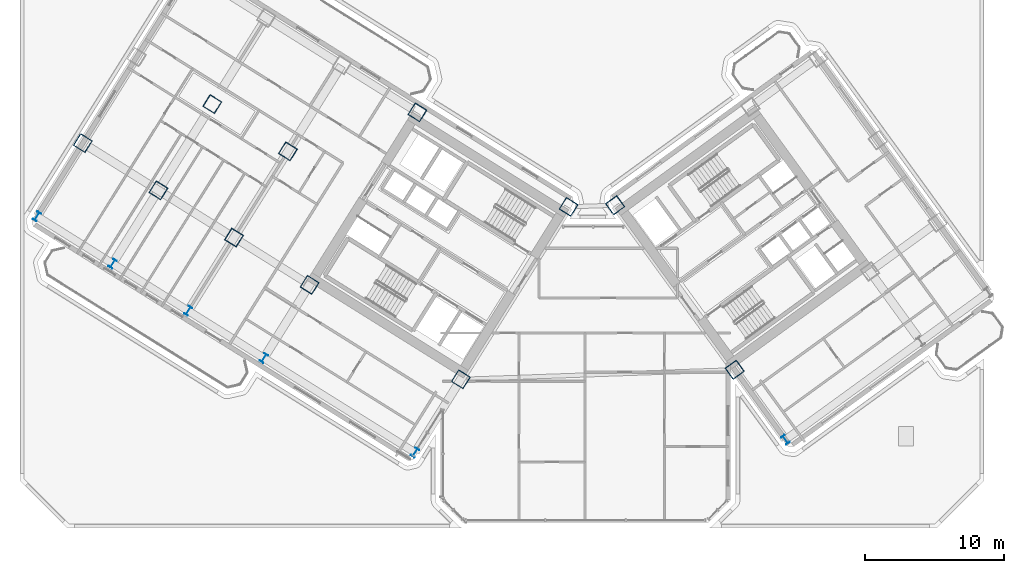
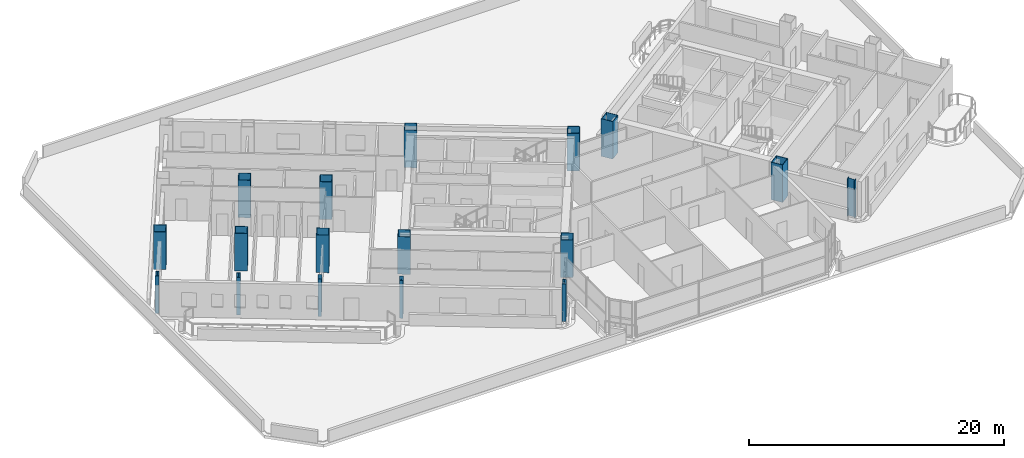
# One storey, part 1 of 28: 17 columns.
"""IFC4 building model written with IfcOpenShell, lengths in metres."""

import ifcopenshell
import ifcopenshell.guid

model = None  # the IFC model being written
_history = None  # IfcOwnerHistory: only IFC2X3 demands one
_inside = {}  # id of a spatial element -> (the spatial element, [elements in it])
_under = {}  # id of a project, library or spatial element -> (it, [spatial elements below it])
_declared = {}  # id of a project -> (the project, [libraries it declares])
_typed = {}  # id of a type object -> (the type object, [elements of that type])
_made_of = {}  # id of a material, layer set ... -> (it, [elements and type objects made of it])


def new_model(schema):
    """Start an empty IFC model of exactly this schema.

    Asked for "IFC4X3", IfcOpenShell would pick the latest addendum, in which some entities
    have other attributes; the version numbers below select the first issue.
    IFC2X3 requires an IfcOwnerHistory on every rooted entity: one is made here for all.
    """
    global model, _history
    if schema == "IFC4X3":
        model = ifcopenshell.file(schema_version=(4, 3, 0, 0))
    else:
        model = ifcopenshell.file(schema=schema)
    _inside.clear()
    _under.clear()
    _declared.clear()
    _typed.clear()
    _made_of.clear()
    _history = None
    if model.schema == "IFC2X3":
        org = make("IfcOrganization", Name="unknown")
        user = make(
            "IfcPersonAndOrganization",
            ThePerson=make("IfcPerson", FamilyName="unknown"),
            TheOrganization=org,
        )
        app = make(
            "IfcApplication",
            ApplicationDeveloper=org,
            Version="unknown",
            ApplicationFullName="unknown",
            ApplicationIdentifier="unknown",
        )
        _history = make(
            "IfcOwnerHistory",
            OwningUser=user,
            OwningApplication=app,
            ChangeAction="ADDED",
            CreationDate=0,
        )
    return model


def make(cls, **values):
    """One entity of the class cls with the attributes given. An attribute that is None is left unset."""
    return model.create_entity(
        cls, **{name: value for name, value in values.items() if value is not None}
    )


def rooted(cls, **values):
    """An entity with a GlobalId (a new one), such as an element, a storey or a relation."""
    return make(cls, GlobalId=ifcopenshell.guid.new(), OwnerHistory=_history, **values)


def si_unit(unit_type, name, prefix=None):
    """IfcSIUnit, for example si_unit("LENGTHUNIT", "METRE", prefix="MILLI")."""
    return make("IfcSIUnit", UnitType=unit_type, Prefix=prefix, Name=name)


def assignment(units):
    """IfcUnitAssignment: the units of a project."""
    return None if units is None else make("IfcUnitAssignment", Units=units)


def point(xyz):
    """IfcCartesianPoint."""
    return None if xyz is None else make("IfcCartesianPoint", Coordinates=xyz)


def direction(xyz):
    """IfcDirection."""
    return None if xyz is None else make("IfcDirection", DirectionRatios=xyz)


def frame(location, z_axis=None, x_axis=None):
    """IfcAxis2Placement3D, a coordinate frame: its origin and axes. An axis left out is left unset."""
    return make(
        "IfcAxis2Placement3D",
        Location=point(location),
        Axis=direction(z_axis),
        RefDirection=direction(x_axis),
    )


def frame_2d(location, x_axis=None):
    """IfcAxis2Placement2D, a coordinate frame in the plane: its origin and x axis."""
    return make(
        "IfcAxis2Placement2D", Location=point(location), RefDirection=direction(x_axis)
    )


def origin():
    """The frame at (0, 0, 0) with its axes left unset."""
    return frame((0.0, 0.0, 0.0))


def origin_2d():
    """The frame at (0, 0) in the plane with its x axis left unset."""
    return frame_2d((0.0, 0.0))


def place(relative_to, where):
    """IfcLocalPlacement: puts the frame where relative to a parent placement (None: the world)."""
    return make(
        "IfcLocalPlacement", PlacementRelTo=relative_to, RelativePlacement=where
    )


def context(
    kind, dimensions, precision=None, world=None, true_north=None, identifier=None
):
    """IfcGeometricRepresentationContext, for example the 3D "Model" context."""
    return make(
        "IfcGeometricRepresentationContext",
        ContextIdentifier=identifier,
        ContextType=kind,
        CoordinateSpaceDimension=dimensions,
        Precision=precision,
        WorldCoordinateSystem=world,
        TrueNorth=true_north,
    )


def subcontext(parent, identifier, kind, view, scale=None):
    """IfcGeometricRepresentationSubContext, for example "Body" below "Model"."""
    return make(
        "IfcGeometricRepresentationSubContext",
        ContextIdentifier=identifier,
        ContextType=kind,
        ParentContext=parent,
        TargetScale=scale,
        TargetView=view,
    )


def project(units=None, contexts=None):
    """IfcProject with its units and contexts."""
    return rooted(
        "IfcProject",
        Name="project",
        RepresentationContexts=contexts,
        UnitsInContext=assignment(units),
    )


def spatial(cls, under=None, at=None, **own):
    """A site, building, storey or space (cls), placed at a placement, below another one or the project."""
    s = rooted(cls, ObjectPlacement=at, **own)
    if under is not None:
        _under.setdefault(under.id(), (under, []))[1].append(s)
    return s


def profile(cls, at=None, kind="AREA", **sizes):
    """A parametric profile (cls). Its sizes go by their IFC names, for example OverallWidth=200.0."""
    return make(cls, ProfileType=kind, Position=at, **sizes)


def hollow_rectangle(**sizes):
    """IfcRectangleHollowProfileDef."""
    return profile("IfcRectangleHollowProfileDef", **sizes)


def i_section(**sizes):
    """IfcIShapeProfileDef."""
    return profile("IfcIShapeProfileDef", **sizes)


def extrude(swept, where, along, depth):
    """IfcExtrudedAreaSolid: the profile swept, set in the frame where, extruded along a direction by depth."""
    return make(
        "IfcExtrudedAreaSolid",
        SweptArea=swept,
        Position=where,
        ExtrudedDirection=direction(along),
        Depth=depth,
    )


def shape(context_of_items, identifier, shape_type, items):
    """IfcShapeRepresentation: the items that make up one representation, for example the "Body"."""
    return make(
        "IfcShapeRepresentation",
        ContextOfItems=context_of_items,
        RepresentationIdentifier=identifier,
        RepresentationType=shape_type,
        Items=items,
    )


def source(mapping_origin, context_of_items, identifier, shape_type, items):
    """IfcRepresentationMap: a shape defined once, which mapped items show again and again."""
    return make(
        "IfcRepresentationMap",
        MappingOrigin=mapping_origin,
        MappedRepresentation=shape(context_of_items, identifier, shape_type, items),
    )


def transform(
    local_origin,
    x_axis=None,
    y_axis=None,
    z_axis=None,
    scale=None,
    scale2=None,
    scale3=None,
    uniform=True,
):
    """IfcCartesianTransformationOperator3D, or its non-uniform kind. x_axis, y_axis, z_axis: its Axis1, 2, 3."""
    if uniform:
        return make(
            "IfcCartesianTransformationOperator3D",
            Axis1=direction(x_axis),
            Axis2=direction(y_axis),
            LocalOrigin=point(local_origin),
            Scale=scale,
            Axis3=direction(z_axis),
        )
    return make(
        "IfcCartesianTransformationOperator3DnonUniform",
        Axis1=direction(x_axis),
        Axis2=direction(y_axis),
        LocalOrigin=point(local_origin),
        Scale=scale,
        Axis3=direction(z_axis),
        Scale2=scale2,
        Scale3=scale3,
    )


def mapped(mapping_source, mapping_target):
    """IfcMappedItem: shows the shape of a source again, moved by a transform."""
    return make(
        "IfcMappedItem", MappingSource=mapping_source, MappingTarget=mapping_target
    )


def material(Name=None, Category=None):
    """IfcMaterial."""
    return make("IfcMaterial", Name=Name, Category=Category)


def material_profile(
    of_material, cross_section, Name=None, Category=None, Priority=None
):
    """IfcMaterialProfile: a cross section and its material."""
    return make(
        "IfcMaterialProfile",
        Name=Name,
        Material=of_material,
        Profile=cross_section,
        Priority=Priority,
        Category=Category,
    )


def profile_set(profiles, Name=None, composite=None):
    """IfcMaterialProfileSet."""
    return make(
        "IfcMaterialProfileSet",
        Name=Name,
        MaterialProfiles=profiles,
        CompositeProfile=composite,
    )


def made_of(thing, what):
    """Note that an element or type object is made of a material, layer set ...; save() writes the relation."""
    if what is not None:
        _made_of.setdefault(what.id(), (what, []))[1].append(thing)
    return thing


def type_object(cls, material=None, **own):
    """A type object (cls), such as IfcWallType, which elements share."""
    return made_of(rooted(cls, **own), material)


def element(
    cls,
    number,
    at=None,
    inside=None,
    cuts=None,
    type_object=None,
    material=None,
    context=None,
    identifier="Body",
    shape_type=None,
    held_by="IfcProductDefinitionShape",
    body=None,
    shapes=None,
    **own,
):
    """One element of the class cls, such as IfcWall. Its Tag is "e" and its number.

    at: its placement. inside: the storey or other place that contains it. cuts: it is an
    opening in that element (IfcRelVoidsElement). A single representation is given by context,
    identifier, shape_type and body (its items); several are given by shapes. held_by: the class
    of the entity that holds the representations. save() writes the other relations.
    """
    e = rooted(cls, Tag="e%d" % number, ObjectPlacement=at, **own)
    if body is not None:
        shapes = [shape(context, identifier, shape_type, body)]
    if shapes is not None:
        e.Representation = make(held_by, Representations=shapes)
    if inside is not None:
        _inside.setdefault(inside.id(), (inside, []))[1].append(e)
    if cuts is not None:
        rooted(
            "IfcRelVoidsElement", RelatingBuildingElement=cuts, RelatedOpeningElement=e
        )
    if type_object is not None:
        _typed.setdefault(type_object.id(), (type_object, []))[1].append(e)
    return made_of(e, material)


def aggregate(whole, parts):
    """IfcRelAggregates: a whole, such as a stair, and the parts it consists of."""
    return rooted("IfcRelAggregates", RelatingObject=whole, RelatedObjects=parts)


def save(model, path):
    """Write the relations noted so far, then the file.

    IfcRelAggregates (storeys below a building ...), IfcRelContainedInSpatialStructure (elements
    in a storey), IfcRelDefinesByType, IfcRelAssociatesMaterial and IfcRelDeclares: one each for
    every whole, place, type object, material and project.
    """
    for whole, parts in _under.values():
        aggregate(whole, parts)
    for where, things in _inside.values():
        rooted(
            "IfcRelContainedInSpatialStructure",
            RelatedElements=things,
            RelatingStructure=where,
        )
    for kind, things in _typed.values():
        rooted("IfcRelDefinesByType", RelatedObjects=things, RelatingType=kind)
    for what, things in _made_of.values():
        rooted("IfcRelAssociatesMaterial", RelatedObjects=things, RelatingMaterial=what)
    for by, libraries in _declared.values():
        rooted("IfcRelDeclares", RelatingContext=by, RelatedDefinitions=libraries)
    model.write(path)


model = new_model("IFC4")

# Units and contexts
model_context = context("Model", 3, precision=1e-05, world=origin(), true_north=direction((0.0, 1.0)))
body_context = subcontext(model_context, "Body", "Model", "MODEL_VIEW")
ifc_project = project(units=[si_unit("LENGTHUNIT", "METRE"), si_unit("AREAUNIT", "SQUARE_METRE"), si_unit("VOLUMEUNIT", "CUBIC_METRE"), si_unit("PLANEANGLEUNIT", "RADIAN"), si_unit("MASSUNIT", "GRAM", prefix="KILO")], contexts=[model_context])

# Site, building, storey
site_placement = place(None, origin())
site = spatial("IfcSite", under=ifc_project, at=site_placement, CompositionType="ELEMENT")
building_placement = place(site_placement, origin())
building = spatial("IfcBuilding", under=site, at=building_placement, Name="Tlacorven Tower", CompositionType="ELEMENT")
storey_placement = place(building_placement, frame((0.0, 0.0, 24.0)))
storey = spatial("IfcBuildingStorey", under=building, at=storey_placement, Name="L05", CompositionType="ELEMENT", Elevation=24.0)

# Columns
ifc_material = material(Name="Steel S460M", Category="steel")
ifc_material_profile_1 = material_profile(ifc_material, hollow_rectangle(XDim=1.0, YDim=1.0, WallThickness=0.0400390625, at=origin_2d()), Name="BOX 1000X1000X40")
ifc_profile_set_1 = profile_set([ifc_material_profile_1], Name="Steel S460M")
column_type_1 = type_object("IfcColumnType", Name="COL-TWR-S1", PredefinedType="COLUMN", material=ifc_profile_set_1)
shared_shape_1 = source(origin(), body_context, "Body", "SweptSolid", [
    extrude(hollow_rectangle(XDim=1.0, YDim=1.0, WallThickness=0.0400390625, at=origin_2d()), origin(), (0.0, 0.0, 1.0), 3.60009765625),
])
for number, where, z_axis, x_axis, name in (
    (1, (40.782958984375, 24.468505859375, 0.0), (0.0, 0.0, 1.0), (-0.848048096156, 0.529919264233, 0.0), "L05 column COL-L05-W1-1"),
    (2, (33.046142578125, 12.0869140625, 0.0), (0.0, 0.0, 1.0), (-0.848048096156, 0.529919264233, 0.0), "L05 column COL-L05-W1-3"),
    (3, (29.927978515625, 31.25146484375, 0.0), (0.0, 0.0, 1.0), (-0.848048096156, 0.529919264233, 0.0), "L05 column COL-L05-W3-1"),
    (4, (22.191162109375, 18.869873046875, 0.0), (0.0, 0.0, 1.0), (-0.848048096156, 0.529919264233, 0.0), "L05 column COL-L05-W3-3"),
    (5, (20.632080078125, 28.4521484375, 0.0), (0.0, 0.0, 1.0), (-0.848048096156, 0.529919264233, 0.0), "L05 column COL-L05-W4-2"),
    (6, (16.763671875, 22.26123046875, 0.0), (0.0, 0.0, 1.0), (-0.848048096156, 0.529919264233, 0.0), "L05 column COL-L05-W4-3"),
    (7, (15.20458984375, 31.843505859375, 0.0), (0.0, 0.0, 1.0), (-0.848048096156, 0.529919264233, 0.0), "L05 column COL-L05-W5-2"),
    (8, (11.336181640625, 25.65283203125, 0.0), (0.0, 0.0, 1.0), (-0.848048096156, 0.529919264233, 0.0), "L05 column COL-L05-W5-3"),
    (9, (5.90869140625, 29.044189453125, 0.0), (0.0, 0.0, 1.0), (-0.848048096156, 0.529919264233, 0.0), "L05 column COL-L05-W6-3"),
    (10, (52.705322265625, 12.7734375, 0.0), (0.0, 0.0, 1.0), (0.809016994375, 0.587785252292, 0.0), "L05 column COL-L05-E1-2"),
    (11, (44.123779296875, 24.5849609375, 0.0), (0.0, 0.0, 1.0), (0.809016994375, 0.587785252292, 0.0), "L05 column COL-L05-E1-4"),
):
    element("IfcColumn", number, at=place(storey_placement, frame(where, z_axis=z_axis, x_axis=x_axis)), inside=storey, type_object=column_type_1, Name=name, PredefinedType="COLUMN", context=body_context, shape_type="MappedRepresentation", body=[
        mapped(shared_shape_1, transform((0.0, 0.0, 0.0), scale=1.0)),
    ])
ifc_material_profile_2 = material_profile(ifc_material, i_section(OverallWidth=0.300048828125, OverallDepth=0.64990234375, WebThickness=0.01611328125, FlangeThickness=0.031005859375, at=origin_2d()), Name="HEB 650")
ifc_profile_set_2 = profile_set([ifc_material_profile_2], Name="Steel S460M")
column_type_2 = type_object("IfcColumnType", Name="COL-TWR-P1", PredefinedType="COLUMN", material=ifc_profile_set_2)
shared_shape_2 = source(origin(), body_context, "Body", "SweptSolid", [
    extrude(i_section(OverallWidth=0.300048828125, OverallDepth=0.64990234375, WebThickness=0.01611328125, FlangeThickness=0.031005859375, at=origin_2d()), origin(), (0.0, 0.0, 1.0), 3.60009765625),
])
for number, where, z_axis, x_axis, name in (
    (12, (29.7607421875, 6.8291015625, 0.0), (0.0, 0.0, 1.0), (-0.848048096156, 0.529919264233, 0.0), "L05 column COL-L05-W1-4"),
    (13, (18.905517578125, 13.612060546875, 0.0), (0.0, 0.0, 1.0), (-0.848048096156, 0.529919264233, 0.0), "L05 column COL-L05-W3-4"),
    (14, (13.47802734375, 17.00341796875, 0.0), (0.0, 0.0, 1.0), (-0.848048096156, 0.529919264233, 0.0), "L05 column COL-L05-W4-4"),
    (15, (8.050537109375, 20.39501953125, 0.0), (0.0, 0.0, 1.0), (-0.848048096156, 0.529919264233, 0.0), "L05 column COL-L05-W5-4"),
    (16, (2.623046875, 23.786376953125, 0.0), (0.0, 0.0, 1.0), (-0.848048096156, 0.529919264233, 0.0), "L05 column COL-L05-W6-4"),
    (17, (56.349609375, 7.757568359375, 0.0), (0.0, 0.0, 1.0), (0.809016994375, 0.587785252292, 0.0), "L05 column COL-L05-E1-1"),
):
    element("IfcColumn", number, at=place(storey_placement, frame(where, z_axis=z_axis, x_axis=x_axis)), inside=storey, type_object=column_type_2, Name=name, PredefinedType="COLUMN", context=body_context, shape_type="MappedRepresentation", body=[
        mapped(shared_shape_2, transform((0.0, 0.0, 0.0), scale=1.0)),
    ])

save(model, "model.ifc")
